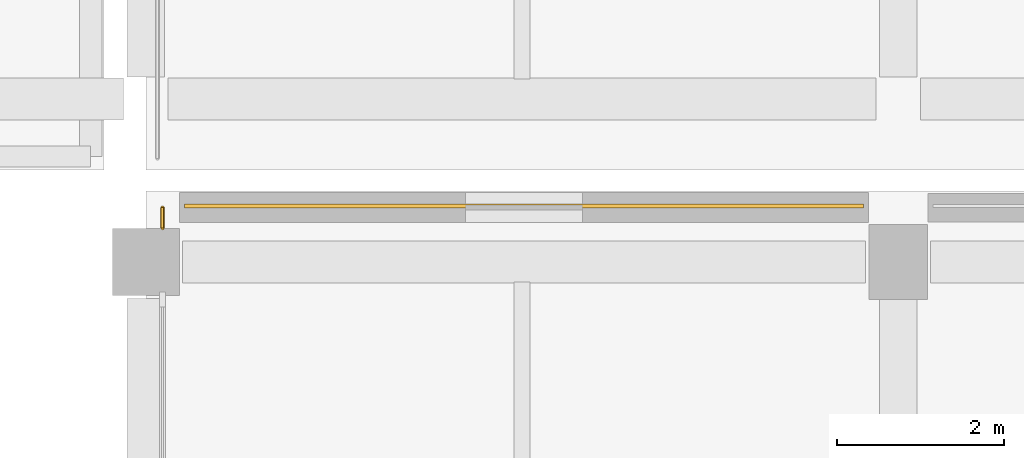
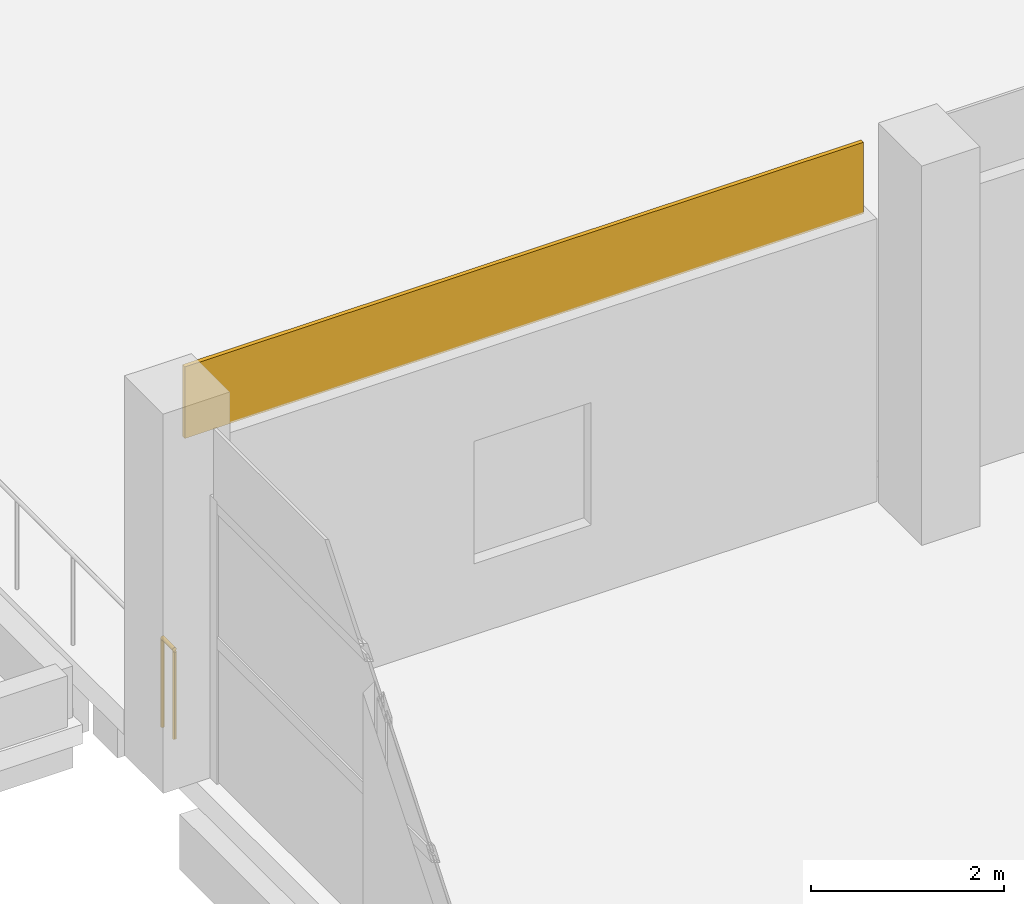
# One storey, part 78 of 82: 1 covering, 1 railing.
"""IFC4 building model written with IfcOpenShell, lengths in metres."""

from ifc_helpers import new_model, si_unit, direction, frame, origin, origin_2d, place, context, subcontext, project, spatial, rectangle, circle, extrude, material, layer, layer_set, type_object, element, save


model = new_model("IFC4")

# Units and contexts
model_context = context("Model", 3, precision=1e-05, world=origin(), true_north=direction((0.0, 1.0)))
body_context = subcontext(model_context, "Body", "Model", "MODEL_VIEW")
ifc_project = project(units=[si_unit("LENGTHUNIT", "METRE"), si_unit("AREAUNIT", "SQUARE_METRE"), si_unit("VOLUMEUNIT", "CUBIC_METRE"), si_unit("PLANEANGLEUNIT", "RADIAN"), si_unit("MASSUNIT", "GRAM", prefix="KILO"), si_unit("THERMODYNAMICTEMPERATUREUNIT", "KELVIN"), si_unit("POWERUNIT", "WATT")], contexts=[model_context])

# Site, building, storey
site_placement = place(None, origin())
site = spatial("IfcSite", under=ifc_project, at=site_placement, CompositionType="ELEMENT")
building_placement = place(site_placement, origin())
building = spatial("IfcBuilding", under=site, at=building_placement, Name="Sindhuravela Promenade Stadium", CompositionType="ELEMENT")
storey_placement = place(building_placement, frame((0.0, 0.0, 14.39990234375)))
storey = spatial("IfcBuildingStorey", under=building, at=storey_placement, Name="L03", CompositionType="ELEMENT", Elevation=14.39990234375)

# Covering
ifc_material_1 = material(Name="Polychrome trencadis ceramic mosaic", Category="masonry")
ifc_layer = layer(ifc_material_1, 0.050048828125)
ifc_layer_set = layer_set([ifc_layer], Name="Polychrome trencadis ceramic mosaic")
covering_type = type_object("IfcCoveringType", Name="CV-TRENC-2", PredefinedType="CLADDING", material=ifc_layer_set)
covering_placement = place(storey_placement, frame((184.52490234375, 125.570068359375, 3.55517578125), z_axis=(0.0, 0.0, 1.0), x_axis=(1.0, 0.0, 0.0)))
element("IfcCovering", 1, at=covering_placement, inside=storey, type_object=covering_type, Name="Trencadis ceramic mosaic spandrel frieze EAST L03-211", PredefinedType="CLADDING", context=body_context, shape_type="SweptSolid", body=[
    extrude(rectangle(XDim=8.1201171875, YDim=0.050048828125, at=origin_2d()), origin(), (0.0, 0.0, 1.0), 0.905029296875),
])

# Railing
ifc_material_2 = material(Name="Architectural wrought steel E350", Category="steel")
railing_type = type_object("IfcRailingType", Name="RL-GRD-1150", PredefinedType="GUARDRAIL", material=ifc_material_2)
railing_placement = place(storey_placement, frame((180.199951171875, 125.304931640625, 0.0)))
element("IfcRailing", 2, at=railing_placement, inside=storey, type_object=railing_type, Name="Perimeter edge return guard EAST L03", PredefinedType="GUARDRAIL", context=body_context, shape_type="SweptSolid", body=[
    extrude(circle(Radius=0.02392578125, at=origin_2d()), frame((0.0, 0.0, 1.1259765625), z_axis=(0.0, 1.0, 0.0), x_axis=(-1.0, 0.0, 0.0)), (0.0, 0.0, 1.0), 0.2451171875),
    extrude(circle(Radius=0.02099609375, at=origin_2d()), origin(), (0.0, 0.0, 1.0), 1.101806640625),
    extrude(circle(Radius=0.02099609375, at=origin_2d()), frame((0.0, 0.2451171875, 0.0)), (0.0, 0.0, 1.0), 1.101806640625),
])

save(model, "model.ifc")
